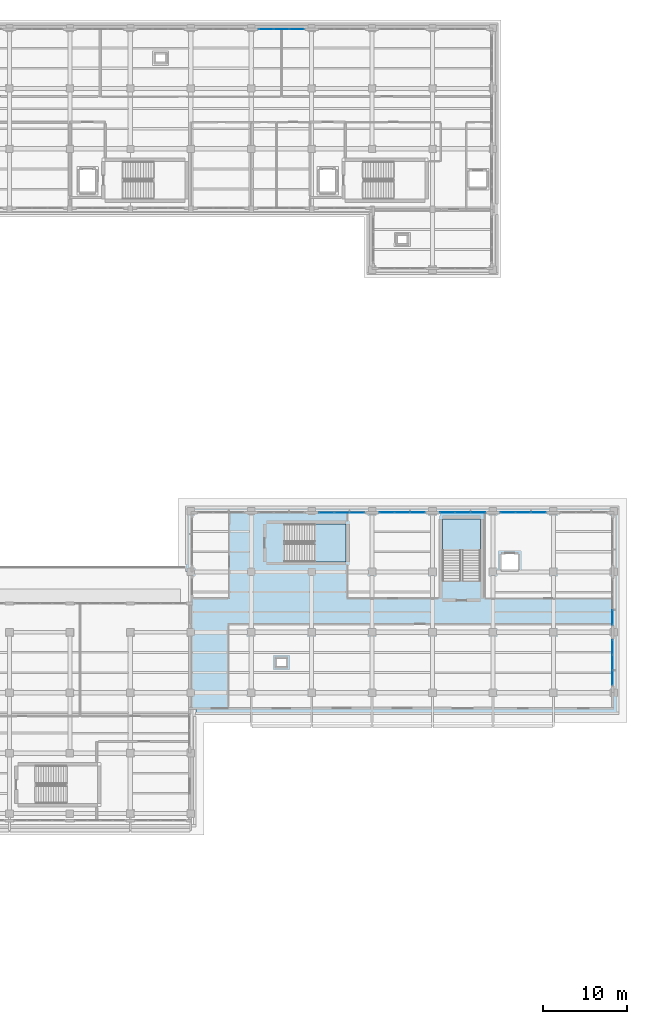
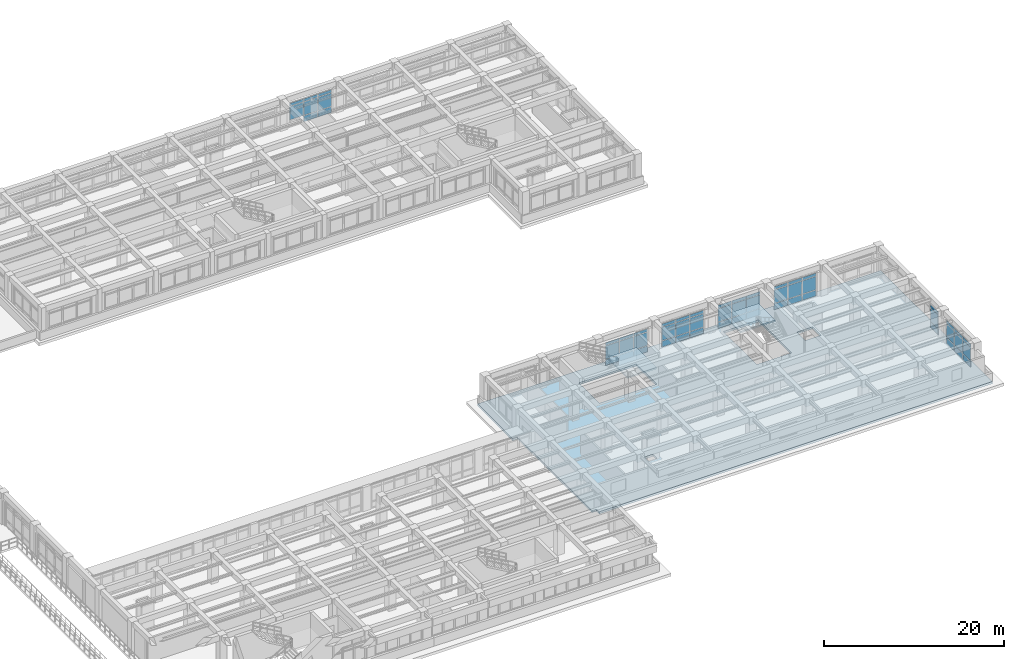
# One storey, part 44 of 69: 56 plates, 3 slabs, 9 elements without a shape of their own.
"""IFC4 building model written with IfcOpenShell, lengths in metres."""

from ifc_helpers import new_model, si_unit, direction, frame, origin, origin_2d, place, context, subcontext, project, spatial, polyline, rectangle, outline, extrude, material, layer, layer_set, type_object, element, aggregate, save


model = new_model("IFC4")

# Units and contexts
model_context = context("Model", 3, precision=1e-05, world=origin(), true_north=direction((0.0, 1.0)))
body_context = subcontext(model_context, "Body", "Model", "MODEL_VIEW")
ifc_project = project(units=[si_unit("LENGTHUNIT", "METRE"), si_unit("AREAUNIT", "SQUARE_METRE"), si_unit("VOLUMEUNIT", "CUBIC_METRE"), si_unit("PLANEANGLEUNIT", "RADIAN"), si_unit("MASSUNIT", "GRAM", prefix="KILO")], contexts=[model_context])

# Site, building, storey
site_placement = place(None, origin())
site = spatial("IfcSite", under=ifc_project, at=site_placement, CompositionType="ELEMENT")
building_placement = place(site_placement, origin())
building = spatial("IfcBuilding", under=site, at=building_placement, Name="Solenvale Faculty of Natural Sciences", CompositionType="ELEMENT")
storey_placement = place(building_placement, frame((0.0, 0.0, 4.5)))
storey = spatial("IfcBuildingStorey", under=building, at=storey_placement, Name="L01", CompositionType="ELEMENT", Elevation=4.5)

# Curtain wall, plates
ifc_material_1 = material(Name="Anodised bronze aluminium", Category="aluminium")
ifc_layer_1 = layer(ifc_material_1, 0.199951171875)
ifc_layer_set_1 = layer_set([ifc_layer_1], Name="Anodised bronze aluminium")
curtain_wall_type_1 = type_object("IfcCurtainWallType", Name="CW-COM-FIN", PredefinedType="USERDEFINED", material=ifc_layer_set_1)
curtain_wall_1_placement = place(storey_placement, origin())
curtain_wall_1 = element("IfcCurtainWall", 1, at=curtain_wall_1_placement, inside=storey, type_object=curtain_wall_type_1, Name="L01 Curtain Wall CW-L01-P1-E9-B5", ObjectType="UNITISED CURTAIN WALL", PredefinedType="USERDEFINED")
ifc_material_2 = material(Name="North-light skylight glass", Category="glass")
ifc_layer_2 = layer(ifc_material_2, 0.028076171875)
ifc_layer_set_2 = layer_set([ifc_layer_2], Name="North-light skylight glass")
plate_type_1 = type_object("IfcPlateType", Name="CWP-PNL-28", PredefinedType="CURTAIN_PANEL", material=ifc_layer_set_2)
plate_1_placement = place(storey_placement, frame((135.0146484375, 57.45751953125, 0.074951171875), z_axis=(0.0, 0.0, 1.0), x_axis=(-1.0, 0.0, 0.0)))
plate_1 = element("IfcPlate", 2, at=plate_1_placement, type_object=plate_type_1, Name="CW-03 panel 1.1", PredefinedType="CURTAIN_PANEL", context=body_context, shape_type="SweptSolid", body=[
    extrude(rectangle(XDim=1.720947265625, YDim=0.028076171875, at=origin_2d()), origin(), (0.0, 0.0, 1.0), 0.78759765625),
])
plate_2_placement = place(storey_placement, frame((135.0146484375, 57.45751953125, 0.9375), z_axis=(0.0, 0.0, 1.0), x_axis=(-1.0, 0.0, 0.0)))
plate_2 = element("IfcPlate", 3, at=plate_2_placement, type_object=plate_type_1, Name="CW-03 panel 1.2", PredefinedType="CURTAIN_PANEL", context=body_context, shape_type="SweptSolid", body=[
    extrude(rectangle(XDim=1.720947265625, YDim=0.028076171875, at=origin_2d()), origin(), (0.0, 0.0, 1.0), 1.784912109375),
])
plate_3_placement = place(storey_placement, frame((135.0146484375, 57.45751953125, 2.79736328125), z_axis=(0.0, 0.0, 1.0), x_axis=(-1.0, 0.0, 0.0)))
plate_3 = element("IfcPlate", 4, at=plate_3_placement, type_object=plate_type_1, Name="CW-03 panel 1.3", PredefinedType="CURTAIN_PANEL", context=body_context, shape_type="SweptSolid", body=[
    extrude(rectangle(XDim=1.720947265625, YDim=0.028076171875, at=origin_2d()), origin(), (0.0, 0.0, 1.0), 0.387451171875),
])
plate_4_placement = place(storey_placement, frame((133.199951171875, 57.45751953125, 0.074951171875), z_axis=(0.0, 0.0, 1.0), x_axis=(-1.0, 0.0, 0.0)))
plate_4 = element("IfcPlate", 5, at=plate_4_placement, type_object=plate_type_1, Name="CW-03 panel 2.1", PredefinedType="CURTAIN_PANEL", context=body_context, shape_type="SweptSolid", body=[
    extrude(rectangle(XDim=1.75830078125, YDim=0.028076171875, at=origin_2d()), origin(), (0.0, 0.0, 1.0), 0.78759765625),
])
plate_5_placement = place(storey_placement, frame((133.199951171875, 57.45751953125, 0.9375), z_axis=(0.0, 0.0, 1.0), x_axis=(-1.0, 0.0, 0.0)))
plate_5 = element("IfcPlate", 6, at=plate_5_placement, type_object=plate_type_1, Name="CW-03 panel 2.2", PredefinedType="CURTAIN_PANEL", context=body_context, shape_type="SweptSolid", body=[
    extrude(rectangle(XDim=1.75830078125, YDim=0.028076171875, at=origin_2d()), origin(), (0.0, 0.0, 1.0), 1.784912109375),
])
plate_6_placement = place(storey_placement, frame((133.199951171875, 57.45751953125, 2.79736328125), z_axis=(0.0, 0.0, 1.0), x_axis=(-1.0, 0.0, 0.0)))
plate_6 = element("IfcPlate", 7, at=plate_6_placement, type_object=plate_type_1, Name="CW-03 panel 2.3", PredefinedType="CURTAIN_PANEL", context=body_context, shape_type="SweptSolid", body=[
    extrude(rectangle(XDim=1.75830078125, YDim=0.028076171875, at=origin_2d()), origin(), (0.0, 0.0, 1.0), 0.387451171875),
])
plate_7_placement = place(storey_placement, frame((131.385498046875, 57.45751953125, 0.074951171875), z_axis=(0.0, 0.0, 1.0), x_axis=(-1.0, 0.0, 0.0)))
plate_7 = element("IfcPlate", 8, at=plate_7_placement, type_object=plate_type_1, Name="CW-03 panel 3.1", PredefinedType="CURTAIN_PANEL", context=body_context, shape_type="SweptSolid", body=[
    extrude(rectangle(XDim=1.720947265625, YDim=0.028076171875, at=origin_2d()), origin(), (0.0, 0.0, 1.0), 0.78759765625),
])
plate_8_placement = place(storey_placement, frame((131.385498046875, 57.45751953125, 0.9375), z_axis=(0.0, 0.0, 1.0), x_axis=(-1.0, 0.0, 0.0)))
plate_8 = element("IfcPlate", 9, at=plate_8_placement, type_object=plate_type_1, Name="CW-03 panel 3.2", PredefinedType="CURTAIN_PANEL", context=body_context, shape_type="SweptSolid", body=[
    extrude(rectangle(XDim=1.720947265625, YDim=0.028076171875, at=origin_2d()), origin(), (0.0, 0.0, 1.0), 1.784912109375),
])
plate_9_placement = place(storey_placement, frame((131.385498046875, 57.45751953125, 2.79736328125), z_axis=(0.0, 0.0, 1.0), x_axis=(-1.0, 0.0, 0.0)))
plate_9 = element("IfcPlate", 10, at=plate_9_placement, type_object=plate_type_1, Name="CW-03 panel 3.3", PredefinedType="CURTAIN_PANEL", context=body_context, shape_type="SweptSolid", body=[
    extrude(rectangle(XDim=1.720947265625, YDim=0.028076171875, at=origin_2d()), origin(), (0.0, 0.0, 1.0), 0.387451171875),
])
aggregate(curtain_wall_1, [plate_1, plate_2, plate_3, plate_4, plate_5, plate_6, plate_7, plate_8, plate_9])

ifc_layer_3 = layer(ifc_material_1, 0.179931640625)
ifc_layer_set_3 = layer_set([ifc_layer_3], Name="Anodised bronze aluminium")
curtain_wall_type_2 = type_object("IfcCurtainWallType", Name="CW-TWR-MOD", PredefinedType="USERDEFINED", material=ifc_layer_set_3)
curtain_wall_2_placement = place(storey_placement, origin())
curtain_wall_2 = element("IfcCurtainWall", 11, at=curtain_wall_2_placement, inside=storey, type_object=curtain_wall_type_2, Name="L01 Curtain Wall CW-L01-P2-E4-B4", ObjectType="UNITISED CURTAIN WALL", PredefinedType="USERDEFINED")
ifc_material_3 = material(Name="Triple low-E insulated glass", Category="glass")
ifc_layer_4 = layer(ifc_material_3, 0.035888671875)
ifc_layer_set_4 = layer_set([ifc_layer_4], Name="Triple low-E insulated glass")
plate_type_2 = type_object("IfcPlateType", Name="CWP-PNL-36", PredefinedType="CURTAIN_PANEL", material=ifc_layer_set_4)
plate_10_placement = place(storey_placement, frame((127.814697265625, 115.0576171875, 0.074951171875), z_axis=(0.0, 0.0, 1.0), x_axis=(-1.0, 0.0, 0.0)))
plate_10 = element("IfcPlate", 12, at=plate_10_placement, type_object=plate_type_2, Name="CW-04 panel 1.1", PredefinedType="CURTAIN_PANEL", context=body_context, shape_type="SweptSolid", body=[
    extrude(rectangle(XDim=1.720947265625, YDim=0.035888671875, at=origin_2d()), origin(), (0.0, 0.0, 1.0), 0.78759765625),
])
plate_11_placement = place(storey_placement, frame((127.814697265625, 115.0576171875, 0.9375), z_axis=(0.0, 0.0, 1.0), x_axis=(-1.0, 0.0, 0.0)))
plate_11 = element("IfcPlate", 13, at=plate_11_placement, type_object=plate_type_2, Name="CW-04 panel 1.2", PredefinedType="CURTAIN_PANEL", context=body_context, shape_type="SweptSolid", body=[
    extrude(rectangle(XDim=1.720947265625, YDim=0.035888671875, at=origin_2d()), origin(), (0.0, 0.0, 1.0), 1.784912109375),
])
plate_12_placement = place(storey_placement, frame((127.814697265625, 115.0576171875, 2.79736328125), z_axis=(0.0, 0.0, 1.0), x_axis=(-1.0, 0.0, 0.0)))
plate_12 = element("IfcPlate", 14, at=plate_12_placement, type_object=plate_type_2, Name="CW-04 panel 1.3", PredefinedType="CURTAIN_PANEL", context=body_context, shape_type="SweptSolid", body=[
    extrude(rectangle(XDim=1.720947265625, YDim=0.035888671875, at=origin_2d()), origin(), (0.0, 0.0, 1.0), 0.387451171875),
])
plate_13_placement = place(storey_placement, frame((126.0, 115.0576171875, 0.074951171875), z_axis=(0.0, 0.0, 1.0), x_axis=(-1.0, 0.0, 0.0)))
plate_13 = element("IfcPlate", 15, at=plate_13_placement, type_object=plate_type_2, Name="CW-04 panel 2.1", PredefinedType="CURTAIN_PANEL", context=body_context, shape_type="SweptSolid", body=[
    extrude(rectangle(XDim=1.75830078125, YDim=0.035888671875, at=origin_2d()), origin(), (0.0, 0.0, 1.0), 0.78759765625),
])
plate_14_placement = place(storey_placement, frame((126.0, 115.0576171875, 0.9375), z_axis=(0.0, 0.0, 1.0), x_axis=(-1.0, 0.0, 0.0)))
plate_14 = element("IfcPlate", 16, at=plate_14_placement, type_object=plate_type_2, Name="CW-04 panel 2.2", PredefinedType="CURTAIN_PANEL", context=body_context, shape_type="SweptSolid", body=[
    extrude(rectangle(XDim=1.75830078125, YDim=0.035888671875, at=origin_2d()), origin(), (0.0, 0.0, 1.0), 1.784912109375),
])
plate_15_placement = place(storey_placement, frame((126.0, 115.0576171875, 2.79736328125), z_axis=(0.0, 0.0, 1.0), x_axis=(-1.0, 0.0, 0.0)))
plate_15 = element("IfcPlate", 17, at=plate_15_placement, type_object=plate_type_2, Name="CW-04 panel 2.3", PredefinedType="CURTAIN_PANEL", context=body_context, shape_type="SweptSolid", body=[
    extrude(rectangle(XDim=1.75830078125, YDim=0.035888671875, at=origin_2d()), origin(), (0.0, 0.0, 1.0), 0.387451171875),
])
plate_16_placement = place(storey_placement, frame((124.185302734375, 115.0576171875, 0.9375), z_axis=(0.0, 0.0, 1.0), x_axis=(-1.0, 0.0, 0.0)))
plate_16 = element("IfcPlate", 18, at=plate_16_placement, type_object=plate_type_2, Name="CW-04 panel 3.2", PredefinedType="CURTAIN_PANEL", context=body_context, shape_type="SweptSolid", body=[
    extrude(rectangle(XDim=1.720947265625, YDim=0.035888671875, at=origin_2d()), origin(), (0.0, 0.0, 1.0), 1.784912109375),
])
plate_17_placement = place(storey_placement, frame((124.185302734375, 115.0576171875, 2.79736328125), z_axis=(0.0, 0.0, 1.0), x_axis=(-1.0, 0.0, 0.0)))
plate_17 = element("IfcPlate", 19, at=plate_17_placement, type_object=plate_type_2, Name="CW-04 panel 3.3", PredefinedType="CURTAIN_PANEL", context=body_context, shape_type="SweptSolid", body=[
    extrude(rectangle(XDim=1.720947265625, YDim=0.035888671875, at=origin_2d()), origin(), (0.0, 0.0, 1.0), 0.387451171875),
])
aggregate(curtain_wall_2, [plate_10, plate_11, plate_12, plate_13, plate_14, plate_15, plate_16, plate_17])

curtain_wall_3_placement = place(storey_placement, origin())
curtain_wall_3 = element("IfcCurtainWall", 20, at=curtain_wall_3_placement, inside=storey, type_object=curtain_wall_type_1, Name="L01 Curtain Wall CW-L01-P1-E8-B2", ObjectType="UNITISED CURTAIN WALL", PredefinedType="USERDEFINED")
ifc_layer_5 = layer(ifc_material_3, 0.0439453125)
ifc_layer_set_5 = layer_set([ifc_layer_5], Name="Triple low-E insulated glass")
plate_type_3 = type_object("IfcPlateType", Name="CWP-PNL-44", PredefinedType="CURTAIN_PANEL", material=ifc_layer_set_5)
plate_18_placement = place(storey_placement, frame((165.45751953125, 37.785400390625, 0.074951171875), z_axis=(0.0, 0.0, 1.0), x_axis=(0.0, 1.0, 0.0)))
plate_18 = element("IfcPlate", 21, at=plate_18_placement, type_object=plate_type_3, Name="CW-03 panel 1.1", PredefinedType="CURTAIN_PANEL", context=body_context, shape_type="SweptSolid", body=[
    extrude(rectangle(XDim=1.720947265625, YDim=0.0439453125, at=origin_2d()), origin(), (0.0, 0.0, 1.0), 0.78759765625),
])
plate_19_placement = place(storey_placement, frame((165.45751953125, 37.785400390625, 0.9375), z_axis=(0.0, 0.0, 1.0), x_axis=(0.0, 1.0, 0.0)))
plate_19 = element("IfcPlate", 22, at=plate_19_placement, type_object=plate_type_3, Name="CW-03 panel 1.2", PredefinedType="CURTAIN_PANEL", context=body_context, shape_type="SweptSolid", body=[
    extrude(rectangle(XDim=1.720947265625, YDim=0.0439453125, at=origin_2d()), origin(), (0.0, 0.0, 1.0), 1.784912109375),
])
plate_20_placement = place(storey_placement, frame((165.45751953125, 37.785400390625, 2.79736328125), z_axis=(0.0, 0.0, 1.0), x_axis=(0.0, 1.0, 0.0)))
plate_20 = element("IfcPlate", 23, at=plate_20_placement, type_object=plate_type_3, Name="CW-03 panel 1.3", PredefinedType="CURTAIN_PANEL", context=body_context, shape_type="SweptSolid", body=[
    extrude(rectangle(XDim=1.720947265625, YDim=0.0439453125, at=origin_2d()), origin(), (0.0, 0.0, 1.0), 0.387451171875),
])
plate_21_placement = place(storey_placement, frame((165.45751953125, 39.60009765625, 0.074951171875), z_axis=(0.0, 0.0, 1.0), x_axis=(0.0, 1.0, 0.0)))
plate_21 = element("IfcPlate", 24, at=plate_21_placement, type_object=plate_type_3, Name="CW-03 panel 2.1", PredefinedType="CURTAIN_PANEL", context=body_context, shape_type="SweptSolid", body=[
    extrude(rectangle(XDim=1.75830078125, YDim=0.0439453125, at=origin_2d()), origin(), (0.0, 0.0, 1.0), 0.78759765625),
])
plate_22_placement = place(storey_placement, frame((165.45751953125, 39.60009765625, 0.9375), z_axis=(0.0, 0.0, 1.0), x_axis=(0.0, 1.0, 0.0)))
plate_22 = element("IfcPlate", 25, at=plate_22_placement, type_object=plate_type_3, Name="CW-03 panel 2.2", PredefinedType="CURTAIN_PANEL", context=body_context, shape_type="SweptSolid", body=[
    extrude(rectangle(XDim=1.75830078125, YDim=0.0439453125, at=origin_2d()), origin(), (0.0, 0.0, 1.0), 1.784912109375),
])
plate_23_placement = place(storey_placement, frame((165.45751953125, 39.60009765625, 2.79736328125), z_axis=(0.0, 0.0, 1.0), x_axis=(0.0, 1.0, 0.0)))
plate_23 = element("IfcPlate", 26, at=plate_23_placement, type_object=plate_type_3, Name="CW-03 panel 2.3", PredefinedType="CURTAIN_PANEL", context=body_context, shape_type="SweptSolid", body=[
    extrude(rectangle(XDim=1.75830078125, YDim=0.0439453125, at=origin_2d()), origin(), (0.0, 0.0, 1.0), 0.387451171875),
])
plate_24_placement = place(storey_placement, frame((165.45751953125, 41.41455078125, 0.074951171875), z_axis=(0.0, 0.0, 1.0), x_axis=(0.0, 1.0, 0.0)))
plate_24 = element("IfcPlate", 27, at=plate_24_placement, type_object=plate_type_3, Name="CW-03 panel 3.1", PredefinedType="CURTAIN_PANEL", context=body_context, shape_type="SweptSolid", body=[
    extrude(rectangle(XDim=1.720947265625, YDim=0.0439453125, at=origin_2d()), origin(), (0.0, 0.0, 1.0), 0.78759765625),
])
plate_25_placement = place(storey_placement, frame((165.45751953125, 41.41455078125, 0.9375), z_axis=(0.0, 0.0, 1.0), x_axis=(0.0, 1.0, 0.0)))
plate_25 = element("IfcPlate", 28, at=plate_25_placement, type_object=plate_type_3, Name="CW-03 panel 3.2", PredefinedType="CURTAIN_PANEL", context=body_context, shape_type="SweptSolid", body=[
    extrude(rectangle(XDim=1.720947265625, YDim=0.0439453125, at=origin_2d()), origin(), (0.0, 0.0, 1.0), 1.784912109375),
])
plate_26_placement = place(storey_placement, frame((165.45751953125, 41.41455078125, 2.79736328125), z_axis=(0.0, 0.0, 1.0), x_axis=(0.0, 1.0, 0.0)))
plate_26 = element("IfcPlate", 29, at=plate_26_placement, type_object=plate_type_3, Name="CW-03 panel 3.3", PredefinedType="CURTAIN_PANEL", context=body_context, shape_type="SweptSolid", body=[
    extrude(rectangle(XDim=1.720947265625, YDim=0.0439453125, at=origin_2d()), origin(), (0.0, 0.0, 1.0), 0.387451171875),
])
aggregate(curtain_wall_3, [plate_18, plate_19, plate_20, plate_21, plate_22, plate_23, plate_24, plate_25, plate_26])

curtain_wall_4_placement = place(storey_placement, origin())
curtain_wall_4 = element("IfcCurtainWall", 30, at=curtain_wall_4_placement, inside=storey, type_object=curtain_wall_type_1, Name="L01 Curtain Wall CW-L01-P1-E8-B3", ObjectType="UNITISED CURTAIN WALL", PredefinedType="USERDEFINED")
ifc_layer_6 = layer(ifc_material_1, 0.048095703125)
ifc_layer_set_6 = layer_set([ifc_layer_6], Name="Anodised bronze aluminium")
plate_type_4 = type_object("IfcPlateType", Name="CWP-PNL-48", PredefinedType="CURTAIN_PANEL", material=ifc_layer_set_6)
plate_27_placement = place(storey_placement, frame((165.45751953125, 44.9853515625, 0.074951171875), z_axis=(0.0, 0.0, 1.0), x_axis=(0.0, 1.0, 0.0)))
plate_27 = element("IfcPlate", 31, at=plate_27_placement, type_object=plate_type_4, Name="CW-03 panel 1.1", PredefinedType="CURTAIN_PANEL", context=body_context, shape_type="SweptSolid", body=[
    extrude(rectangle(XDim=1.720947265625, YDim=0.048095703125, at=origin_2d()), origin(), (0.0, 0.0, 1.0), 0.78759765625),
])
plate_28_placement = place(storey_placement, frame((165.45751953125, 44.9853515625, 0.9375), z_axis=(0.0, 0.0, 1.0), x_axis=(0.0, 1.0, 0.0)))
plate_28 = element("IfcPlate", 32, at=plate_28_placement, type_object=plate_type_4, Name="CW-03 panel 1.2", PredefinedType="CURTAIN_PANEL", context=body_context, shape_type="SweptSolid", body=[
    extrude(rectangle(XDim=1.720947265625, YDim=0.048095703125, at=origin_2d()), origin(), (0.0, 0.0, 1.0), 1.784912109375),
])
plate_29_placement = place(storey_placement, frame((165.45751953125, 44.9853515625, 2.79736328125), z_axis=(0.0, 0.0, 1.0), x_axis=(0.0, 1.0, 0.0)))
plate_29 = element("IfcPlate", 33, at=plate_29_placement, type_object=plate_type_4, Name="CW-03 panel 1.3", PredefinedType="CURTAIN_PANEL", context=body_context, shape_type="SweptSolid", body=[
    extrude(rectangle(XDim=1.720947265625, YDim=0.048095703125, at=origin_2d()), origin(), (0.0, 0.0, 1.0), 0.387451171875),
])
aggregate(curtain_wall_4, [plate_27, plate_28, plate_29])

curtain_wall_5_placement = place(storey_placement, origin())
curtain_wall_5 = element("IfcCurtainWall", 34, at=curtain_wall_5_placement, inside=storey, type_object=curtain_wall_type_1, Name="L01 Curtain Wall CW-L01-P1-E9-B2", ObjectType="UNITISED CURTAIN WALL", PredefinedType="USERDEFINED")
plate_30_placement = place(storey_placement, frame((156.614501953125, 57.45751953125, 0.074951171875), z_axis=(0.0, 0.0, 1.0), x_axis=(-1.0, 0.0, 0.0)))
plate_30 = element("IfcPlate", 35, at=plate_30_placement, type_object=plate_type_4, Name="CW-03 panel 1.1", PredefinedType="CURTAIN_PANEL", context=body_context, shape_type="SweptSolid", body=[
    extrude(rectangle(XDim=1.720947265625, YDim=0.048095703125, at=origin_2d()), origin(), (0.0, 0.0, 1.0), 0.78759765625),
])
plate_31_placement = place(storey_placement, frame((156.614501953125, 57.45751953125, 0.9375), z_axis=(0.0, 0.0, 1.0), x_axis=(-1.0, 0.0, 0.0)))
plate_31 = element("IfcPlate", 36, at=plate_31_placement, type_object=plate_type_4, Name="CW-03 panel 1.2", PredefinedType="CURTAIN_PANEL", context=body_context, shape_type="SweptSolid", body=[
    extrude(rectangle(XDim=1.720947265625, YDim=0.048095703125, at=origin_2d()), origin(), (0.0, 0.0, 1.0), 1.784912109375),
])
plate_32_placement = place(storey_placement, frame((156.614501953125, 57.45751953125, 2.79736328125), z_axis=(0.0, 0.0, 1.0), x_axis=(-1.0, 0.0, 0.0)))
plate_32 = element("IfcPlate", 37, at=plate_32_placement, type_object=plate_type_4, Name="CW-03 panel 1.3", PredefinedType="CURTAIN_PANEL", context=body_context, shape_type="SweptSolid", body=[
    extrude(rectangle(XDim=1.720947265625, YDim=0.048095703125, at=origin_2d()), origin(), (0.0, 0.0, 1.0), 0.387451171875),
])
plate_33_placement = place(storey_placement, frame((154.800048828125, 57.45751953125, 0.074951171875), z_axis=(0.0, 0.0, 1.0), x_axis=(-1.0, 0.0, 0.0)))
plate_33 = element("IfcPlate", 38, at=plate_33_placement, type_object=plate_type_4, Name="CW-03 panel 2.1", PredefinedType="CURTAIN_PANEL", context=body_context, shape_type="SweptSolid", body=[
    extrude(rectangle(XDim=1.75830078125, YDim=0.048095703125, at=origin_2d()), origin(), (0.0, 0.0, 1.0), 0.78759765625),
])
plate_34_placement = place(storey_placement, frame((154.800048828125, 57.45751953125, 0.9375), z_axis=(0.0, 0.0, 1.0), x_axis=(-1.0, 0.0, 0.0)))
plate_34 = element("IfcPlate", 39, at=plate_34_placement, type_object=plate_type_4, Name="CW-03 panel 2.2", PredefinedType="CURTAIN_PANEL", context=body_context, shape_type="SweptSolid", body=[
    extrude(rectangle(XDim=1.75830078125, YDim=0.048095703125, at=origin_2d()), origin(), (0.0, 0.0, 1.0), 1.784912109375),
])
plate_35_placement = place(storey_placement, frame((154.800048828125, 57.45751953125, 2.79736328125), z_axis=(0.0, 0.0, 1.0), x_axis=(-1.0, 0.0, 0.0)))
plate_35 = element("IfcPlate", 40, at=plate_35_placement, type_object=plate_type_4, Name="CW-03 panel 2.3", PredefinedType="CURTAIN_PANEL", context=body_context, shape_type="SweptSolid", body=[
    extrude(rectangle(XDim=1.75830078125, YDim=0.048095703125, at=origin_2d()), origin(), (0.0, 0.0, 1.0), 0.387451171875),
])
plate_36_placement = place(storey_placement, frame((152.9853515625, 57.45751953125, 0.074951171875), z_axis=(0.0, 0.0, 1.0), x_axis=(-1.0, 0.0, 0.0)))
plate_36 = element("IfcPlate", 41, at=plate_36_placement, type_object=plate_type_4, Name="CW-03 panel 3.1", PredefinedType="CURTAIN_PANEL", context=body_context, shape_type="SweptSolid", body=[
    extrude(rectangle(XDim=1.720947265625, YDim=0.048095703125, at=origin_2d()), origin(), (0.0, 0.0, 1.0), 0.78759765625),
])
plate_37_placement = place(storey_placement, frame((152.9853515625, 57.45751953125, 0.9375), z_axis=(0.0, 0.0, 1.0), x_axis=(-1.0, 0.0, 0.0)))
plate_37 = element("IfcPlate", 42, at=plate_37_placement, type_object=plate_type_4, Name="CW-03 panel 3.2", PredefinedType="CURTAIN_PANEL", context=body_context, shape_type="SweptSolid", body=[
    extrude(rectangle(XDim=1.720947265625, YDim=0.048095703125, at=origin_2d()), origin(), (0.0, 0.0, 1.0), 1.784912109375),
])
plate_38_placement = place(storey_placement, frame((152.9853515625, 57.45751953125, 2.79736328125), z_axis=(0.0, 0.0, 1.0), x_axis=(-1.0, 0.0, 0.0)))
plate_38 = element("IfcPlate", 43, at=plate_38_placement, type_object=plate_type_4, Name="CW-03 panel 3.3", PredefinedType="CURTAIN_PANEL", context=body_context, shape_type="SweptSolid", body=[
    extrude(rectangle(XDim=1.720947265625, YDim=0.048095703125, at=origin_2d()), origin(), (0.0, 0.0, 1.0), 0.387451171875),
])
aggregate(curtain_wall_5, [plate_30, plate_31, plate_32, plate_33, plate_34, plate_35, plate_36, plate_37, plate_38])

curtain_wall_6_placement = place(storey_placement, origin())
curtain_wall_6 = element("IfcCurtainWall", 44, at=curtain_wall_6_placement, inside=storey, type_object=curtain_wall_type_1, Name="L01 Curtain Wall CW-L01-P1-E9-B3", ObjectType="UNITISED CURTAIN WALL", PredefinedType="USERDEFINED")
ifc_layer_7 = layer(ifc_material_1, 0.053955078125)
ifc_layer_set_7 = layer_set([ifc_layer_7], Name="Anodised bronze aluminium")
plate_type_5 = type_object("IfcPlateType", Name="CWP-PNL-54", PredefinedType="CURTAIN_PANEL", material=ifc_layer_set_7)
plate_39_placement = place(storey_placement, frame((149.41455078125, 57.45751953125, 0.074951171875), z_axis=(0.0, 0.0, 1.0), x_axis=(-1.0, 0.0, 0.0)))
plate_39 = element("IfcPlate", 45, at=plate_39_placement, type_object=plate_type_5, Name="CW-03 panel 1.1", PredefinedType="CURTAIN_PANEL", context=body_context, shape_type="SweptSolid", body=[
    extrude(rectangle(XDim=1.720947265625, YDim=0.053955078125, at=origin_2d()), origin(), (0.0, 0.0, 1.0), 0.78759765625),
])
plate_40_placement = place(storey_placement, frame((149.41455078125, 57.45751953125, 0.9375), z_axis=(0.0, 0.0, 1.0), x_axis=(-1.0, 0.0, 0.0)))
plate_40 = element("IfcPlate", 46, at=plate_40_placement, type_object=plate_type_5, Name="CW-03 panel 1.2", PredefinedType="CURTAIN_PANEL", context=body_context, shape_type="SweptSolid", body=[
    extrude(rectangle(XDim=1.720947265625, YDim=0.053955078125, at=origin_2d()), origin(), (0.0, 0.0, 1.0), 1.784912109375),
])
plate_41_placement = place(storey_placement, frame((149.41455078125, 57.45751953125, 2.79736328125), z_axis=(0.0, 0.0, 1.0), x_axis=(-1.0, 0.0, 0.0)))
plate_41 = element("IfcPlate", 47, at=plate_41_placement, type_object=plate_type_5, Name="CW-03 panel 1.3", PredefinedType="CURTAIN_PANEL", context=body_context, shape_type="SweptSolid", body=[
    extrude(rectangle(XDim=1.720947265625, YDim=0.053955078125, at=origin_2d()), origin(), (0.0, 0.0, 1.0), 0.387451171875),
])
plate_42_placement = place(storey_placement, frame((147.60009765625, 57.45751953125, 0.074951171875), z_axis=(0.0, 0.0, 1.0), x_axis=(-1.0, 0.0, 0.0)))
plate_42 = element("IfcPlate", 48, at=plate_42_placement, type_object=plate_type_5, Name="CW-03 panel 2.1", PredefinedType="CURTAIN_PANEL", context=body_context, shape_type="SweptSolid", body=[
    extrude(rectangle(XDim=1.75830078125, YDim=0.053955078125, at=origin_2d()), origin(), (0.0, 0.0, 1.0), 0.78759765625),
])
plate_43_placement = place(storey_placement, frame((147.60009765625, 57.45751953125, 0.9375), z_axis=(0.0, 0.0, 1.0), x_axis=(-1.0, 0.0, 0.0)))
plate_43 = element("IfcPlate", 49, at=plate_43_placement, type_object=plate_type_5, Name="CW-03 panel 2.2", PredefinedType="CURTAIN_PANEL", context=body_context, shape_type="SweptSolid", body=[
    extrude(rectangle(XDim=1.75830078125, YDim=0.053955078125, at=origin_2d()), origin(), (0.0, 0.0, 1.0), 1.784912109375),
])
plate_44_placement = place(storey_placement, frame((147.60009765625, 57.45751953125, 2.79736328125), z_axis=(0.0, 0.0, 1.0), x_axis=(-1.0, 0.0, 0.0)))
plate_44 = element("IfcPlate", 50, at=plate_44_placement, type_object=plate_type_5, Name="CW-03 panel 2.3", PredefinedType="CURTAIN_PANEL", context=body_context, shape_type="SweptSolid", body=[
    extrude(rectangle(XDim=1.75830078125, YDim=0.053955078125, at=origin_2d()), origin(), (0.0, 0.0, 1.0), 0.387451171875),
])
plate_45_placement = place(storey_placement, frame((145.785400390625, 57.45751953125, 0.074951171875), z_axis=(0.0, 0.0, 1.0), x_axis=(-1.0, 0.0, 0.0)))
plate_45 = element("IfcPlate", 51, at=plate_45_placement, type_object=plate_type_5, Name="CW-03 panel 3.1", PredefinedType="CURTAIN_PANEL", context=body_context, shape_type="SweptSolid", body=[
    extrude(rectangle(XDim=1.720947265625, YDim=0.053955078125, at=origin_2d()), origin(), (0.0, 0.0, 1.0), 0.78759765625),
])
plate_46_placement = place(storey_placement, frame((145.785400390625, 57.45751953125, 0.9375), z_axis=(0.0, 0.0, 1.0), x_axis=(-1.0, 0.0, 0.0)))
plate_46 = element("IfcPlate", 52, at=plate_46_placement, type_object=plate_type_5, Name="CW-03 panel 3.2", PredefinedType="CURTAIN_PANEL", context=body_context, shape_type="SweptSolid", body=[
    extrude(rectangle(XDim=1.720947265625, YDim=0.053955078125, at=origin_2d()), origin(), (0.0, 0.0, 1.0), 1.784912109375),
])
plate_47_placement = place(storey_placement, frame((145.785400390625, 57.45751953125, 2.79736328125), z_axis=(0.0, 0.0, 1.0), x_axis=(-1.0, 0.0, 0.0)))
plate_47 = element("IfcPlate", 53, at=plate_47_placement, type_object=plate_type_5, Name="CW-03 panel 3.3", PredefinedType="CURTAIN_PANEL", context=body_context, shape_type="SweptSolid", body=[
    extrude(rectangle(XDim=1.720947265625, YDim=0.053955078125, at=origin_2d()), origin(), (0.0, 0.0, 1.0), 0.387451171875),
])
aggregate(curtain_wall_6, [plate_39, plate_40, plate_41, plate_42, plate_43, plate_44, plate_45, plate_46, plate_47])

curtain_wall_7_placement = place(storey_placement, origin())
curtain_wall_7 = element("IfcCurtainWall", 54, at=curtain_wall_7_placement, inside=storey, type_object=curtain_wall_type_1, Name="L01 Curtain Wall CW-L01-P1-E9-B4", ObjectType="UNITISED CURTAIN WALL", PredefinedType="USERDEFINED")
ifc_layer_8 = layer(ifc_material_1, 0.06005859375)
ifc_layer_set_8 = layer_set([ifc_layer_8], Name="Anodised bronze aluminium")
plate_type_6 = type_object("IfcPlateType", Name="CWP-PNL-60", PredefinedType="CURTAIN_PANEL", material=ifc_layer_set_8)
plate_48_placement = place(storey_placement, frame((142.214599609375, 57.45751953125, 0.074951171875), z_axis=(0.0, 0.0, 1.0), x_axis=(-1.0, 0.0, 0.0)))
plate_48 = element("IfcPlate", 55, at=plate_48_placement, type_object=plate_type_6, Name="CW-03 panel 1.1", PredefinedType="CURTAIN_PANEL", context=body_context, shape_type="SweptSolid", body=[
    extrude(rectangle(XDim=1.720947265625, YDim=0.06005859375, at=origin_2d()), origin(), (0.0, 0.0, 1.0), 0.78759765625),
])
plate_49_placement = place(storey_placement, frame((142.214599609375, 57.45751953125, 0.9375), z_axis=(0.0, 0.0, 1.0), x_axis=(-1.0, 0.0, 0.0)))
plate_49 = element("IfcPlate", 56, at=plate_49_placement, type_object=plate_type_6, Name="CW-03 panel 1.2", PredefinedType="CURTAIN_PANEL", context=body_context, shape_type="SweptSolid", body=[
    extrude(rectangle(XDim=1.720947265625, YDim=0.06005859375, at=origin_2d()), origin(), (0.0, 0.0, 1.0), 1.784912109375),
])
plate_50_placement = place(storey_placement, frame((142.214599609375, 57.45751953125, 2.79736328125), z_axis=(0.0, 0.0, 1.0), x_axis=(-1.0, 0.0, 0.0)))
plate_50 = element("IfcPlate", 57, at=plate_50_placement, type_object=plate_type_6, Name="CW-03 panel 1.3", PredefinedType="CURTAIN_PANEL", context=body_context, shape_type="SweptSolid", body=[
    extrude(rectangle(XDim=1.720947265625, YDim=0.06005859375, at=origin_2d()), origin(), (0.0, 0.0, 1.0), 0.387451171875),
])
plate_51_placement = place(storey_placement, frame((140.39990234375, 57.45751953125, 0.074951171875), z_axis=(0.0, 0.0, 1.0), x_axis=(-1.0, 0.0, 0.0)))
plate_51 = element("IfcPlate", 58, at=plate_51_placement, type_object=plate_type_6, Name="CW-03 panel 2.1", PredefinedType="CURTAIN_PANEL", context=body_context, shape_type="SweptSolid", body=[
    extrude(rectangle(XDim=1.75830078125, YDim=0.06005859375, at=origin_2d()), origin(), (0.0, 0.0, 1.0), 0.78759765625),
])
plate_52_placement = place(storey_placement, frame((140.39990234375, 57.45751953125, 0.9375), z_axis=(0.0, 0.0, 1.0), x_axis=(-1.0, 0.0, 0.0)))
plate_52 = element("IfcPlate", 59, at=plate_52_placement, type_object=plate_type_6, Name="CW-03 panel 2.2", PredefinedType="CURTAIN_PANEL", context=body_context, shape_type="SweptSolid", body=[
    extrude(rectangle(XDim=1.75830078125, YDim=0.06005859375, at=origin_2d()), origin(), (0.0, 0.0, 1.0), 1.784912109375),
])
plate_53_placement = place(storey_placement, frame((140.39990234375, 57.45751953125, 2.79736328125), z_axis=(0.0, 0.0, 1.0), x_axis=(-1.0, 0.0, 0.0)))
plate_53 = element("IfcPlate", 60, at=plate_53_placement, type_object=plate_type_6, Name="CW-03 panel 2.3", PredefinedType="CURTAIN_PANEL", context=body_context, shape_type="SweptSolid", body=[
    extrude(rectangle(XDim=1.75830078125, YDim=0.06005859375, at=origin_2d()), origin(), (0.0, 0.0, 1.0), 0.387451171875),
])
plate_54_placement = place(storey_placement, frame((138.58544921875, 57.45751953125, 0.074951171875), z_axis=(0.0, 0.0, 1.0), x_axis=(-1.0, 0.0, 0.0)))
plate_54 = element("IfcPlate", 61, at=plate_54_placement, type_object=plate_type_6, Name="CW-03 panel 3.1", PredefinedType="CURTAIN_PANEL", context=body_context, shape_type="SweptSolid", body=[
    extrude(rectangle(XDim=1.720947265625, YDim=0.06005859375, at=origin_2d()), origin(), (0.0, 0.0, 1.0), 0.78759765625),
])
plate_55_placement = place(storey_placement, frame((138.58544921875, 57.45751953125, 0.9375), z_axis=(0.0, 0.0, 1.0), x_axis=(-1.0, 0.0, 0.0)))
plate_55 = element("IfcPlate", 62, at=plate_55_placement, type_object=plate_type_6, Name="CW-03 panel 3.2", PredefinedType="CURTAIN_PANEL", context=body_context, shape_type="SweptSolid", body=[
    extrude(rectangle(XDim=1.720947265625, YDim=0.06005859375, at=origin_2d()), origin(), (0.0, 0.0, 1.0), 1.784912109375),
])
plate_56_placement = place(storey_placement, frame((138.58544921875, 57.45751953125, 2.79736328125), z_axis=(0.0, 0.0, 1.0), x_axis=(-1.0, 0.0, 0.0)))
plate_56 = element("IfcPlate", 63, at=plate_56_placement, type_object=plate_type_6, Name="CW-03 panel 3.3", PredefinedType="CURTAIN_PANEL", context=body_context, shape_type="SweptSolid", body=[
    extrude(rectangle(XDim=1.720947265625, YDim=0.06005859375, at=origin_2d()), origin(), (0.0, 0.0, 1.0), 0.387451171875),
])
aggregate(curtain_wall_7, [plate_48, plate_49, plate_50, plate_51, plate_52, plate_53, plate_54, plate_55, plate_56])

# Slab
ifc_material_4 = material(Name="Concrete 40 MPa", Category="concrete")
ifc_layer_9 = layer(ifc_material_4, 0.280029296875)
ifc_layer_set_9 = layer_set([ifc_layer_9], Name="Concrete 40 MPa")
slab_type_1 = type_object("IfcSlabType", Name="SL-FLR-280", PredefinedType="FLOOR", material=ifc_layer_set_9)
slab_1_placement = place(storey_placement, frame((0.0, 0.0, -0.280029296875)))
element("IfcSlab", 64, at=slab_1_placement, inside=storey, type_object=slab_type_1, Name="L01 V2 Floor Slab 1.1", PredefinedType="FLOOR", context=body_context, shape_type="SweptSolid", body=[
    extrude(outline(polyline([(114.60498046875, 50.419921875), (114.58740234375, 50.42724609375), (114.580078125, 50.445068359375), (114.580078125, 58.195068359375), (114.585693359375, 58.2109375), (114.60009765625, 58.219482421875), (166.202392578125, 58.218994140625), (166.219970703125, 58.195068359375), (166.218994140625, 33.397705078125), (166.195068359375, 33.3798828125), (115.837646484375, 33.381103515625), (115.820068359375, 33.405029296875), (115.820068359375, 33.97998046875), (115.2548828125, 33.97998046875), (115.2373046875, 33.9873046875), (115.22998046875, 34.0048828125), (115.22998046875, 46.79931640625), (115.22509765625, 46.816162109375), (115.20556640625, 46.8310546875), (115.199951171875, 46.8466796875), (115.199951171875, 50.419921875), (114.60498046875, 50.419921875)]), holes=[polyline([(152.18505859375, 50.659912109375), (154.215087890625, 50.659912109375), (154.215087890625, 52.5400390625), (152.18505859375, 52.5400390625), (152.18505859375, 50.659912109375)]), polyline([(145.199951171875, 49.340087890625), (149.699951171875, 49.340087890625), (149.699951171875, 56.699951171875), (145.199951171875, 56.699951171875), (145.199951171875, 49.340087890625)]), polyline([(126.340087890625, 51.60009765625), (133.699951171875, 51.60009765625), (133.699951171875, 56.10009765625), (126.340087890625, 56.10009765625), (126.340087890625, 51.60009765625)]), polyline([(125.449951171875, 39.14990234375), (126.550048828125, 39.14990234375), (126.550048828125, 40.050048828125), (125.449951171875, 40.050048828125), (125.449951171875, 39.14990234375)])]), origin(), (0.0, 0.0, 1.0), 0.280029296875),
])

# Stair, slab
stair_type = type_object("IfcStairType", Name="STR-CORE-25R", PredefinedType="DOUBLE_RETURN_STAIR", material=ifc_material_4)
stair_1_placement = place(storey_placement, origin())
stair_1 = element("IfcStair", 65, at=stair_1_placement, inside=storey, type_object=stair_type, Name="L01 Protected Exit Stair ST-02", PredefinedType="DOUBLE_RETURN_STAIR")
ifc_layer_10 = layer(ifc_material_4, 0.195068359375)
ifc_layer_set_10 = layer_set([ifc_layer_10], Name="Concrete 40 MPa")
slab_type_2 = type_object("IfcSlabType", Name="SL-LND-195", PredefinedType="LANDING", material=ifc_layer_set_10)
slab_2_placement = place(storey_placement, frame((0.0, 0.0, 2.050048828125)))
slab_2 = element("IfcSlab", 66, at=slab_2_placement, type_object=slab_type_2, Name="ST-02 landing 1", PredefinedType="LANDING", context=body_context, shape_type="SweptSolid", body=[
    extrude(outline(polyline([(149.699951171875, 52.93994140625), (149.699951171875, 56.699951171875), (145.199951171875, 56.699951171875), (145.199951171875, 52.93994140625), (149.699951171875, 52.93994140625)])), origin(), (0.0, 0.0, 1.0), 0.199951171875),
])
aggregate(stair_1, [slab_2])

stair_2_placement = place(storey_placement, origin())
stair_2 = element("IfcStair", 67, at=stair_2_placement, inside=storey, type_object=stair_type, Name="L01 Protected Exit Stair ST-08", PredefinedType="DOUBLE_RETURN_STAIR")
slab_3_placement = place(storey_placement, frame((0.0, 0.0, 2.050048828125)))
slab_3 = element("IfcSlab", 68, at=slab_3_placement, type_object=slab_type_2, Name="ST-08 landing 1", PredefinedType="LANDING", context=body_context, shape_type="SweptSolid", body=[
    extrude(outline(polyline([(129.93994140625, 51.60009765625), (133.699951171875, 51.60009765625), (133.699951171875, 56.10009765625), (129.93994140625, 56.10009765625), (129.93994140625, 51.60009765625)])), origin(), (0.0, 0.0, 1.0), 0.199951171875),
])
aggregate(stair_2, [slab_3])

save(model, "model.ifc")
